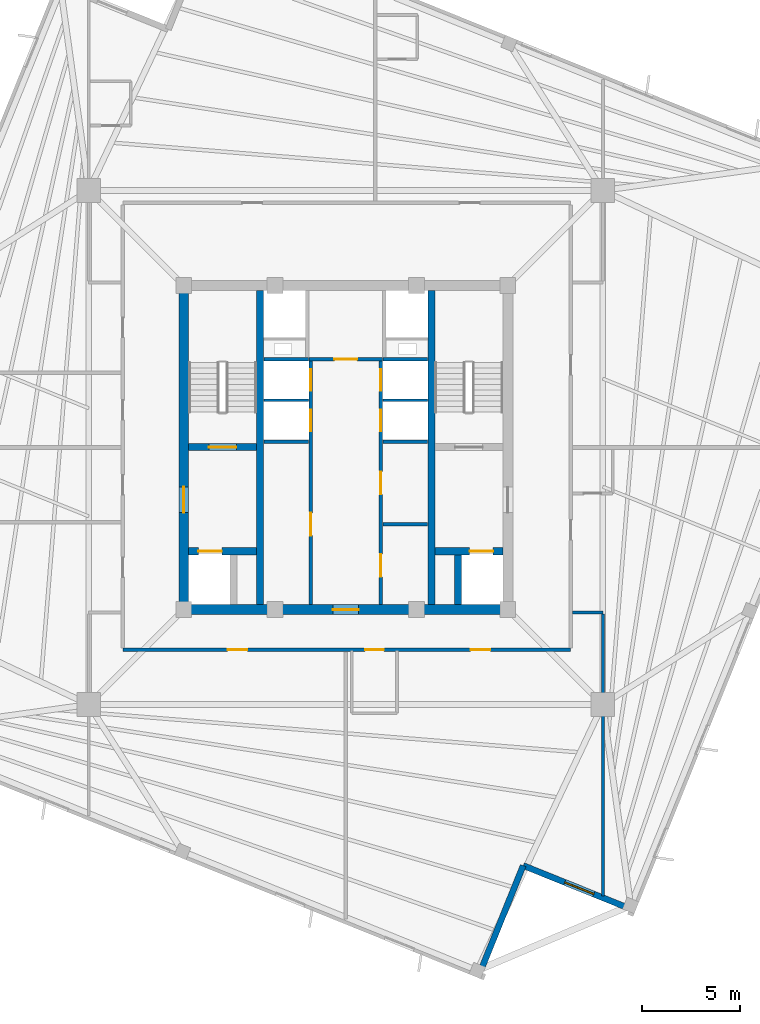
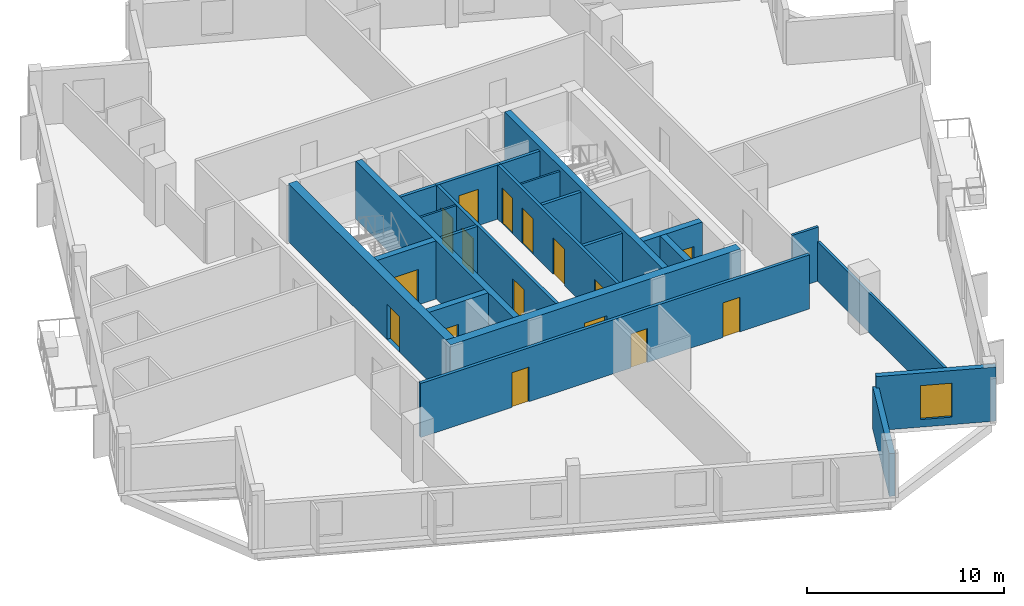
# One storey, part 3 of 8: 23 walls, 16 doors, 1 window, 17 openings.
"""IFC4 building model written with IfcOpenShell, lengths in metres."""

from ifc_helpers import new_model, si_unit, direction, frame, frame_2d, origin, place, context, subcontext, project, spatial, rectangle, extrude, source, transform, mapped, material, layer, layer_set, type_object, element, fill, save


model = new_model("IFC4")

# Units and contexts
model_context = context("Model", 3, precision=1e-05, world=origin(), true_north=direction((0.0, 1.0)))
body_context = subcontext(model_context, "Body", "Model", "MODEL_VIEW")
ifc_project = project(units=[si_unit("LENGTHUNIT", "METRE"), si_unit("AREAUNIT", "SQUARE_METRE"), si_unit("VOLUMEUNIT", "CUBIC_METRE"), si_unit("PLANEANGLEUNIT", "RADIAN"), si_unit("MASSUNIT", "GRAM", prefix="KILO"), si_unit("THERMODYNAMICTEMPERATUREUNIT", "KELVIN")], contexts=[model_context])

# Site, building, storey
site_placement = place(None, origin())
site = spatial("IfcSite", under=ifc_project, at=site_placement, CompositionType="ELEMENT")
building_placement = place(site_placement, origin())
building = spatial("IfcBuilding", under=site, at=building_placement, Name="Kosmvard Interchange Tower", CompositionType="ELEMENT")
storey_placement = place(building_placement, frame((0.0, 0.0, 290.39990234375)))
storey = spatial("IfcBuildingStorey", under=building, at=storey_placement, Name="L71", CompositionType="ELEMENT", Elevation=290.39990234375)

# Walls
ifc_material_1 = material(Name="Acoustic gypsum partition system")
ifc_layer_1 = layer(ifc_material_1, 0.14990234375, Name="Acoustic gypsum partition system")
ifc_layer_set_1 = layer_set([ifc_layer_1], Name="Acoustic gypsum partition system")
wall_type_1 = type_object("IfcWallType", Name="Acoustic Suite & Meeting Partition 150", PredefinedType="PARTITIONING", material=ifc_layer_set_1)
wall_1_placement = place(storey_placement, frame((11.544921875, -8.39990234375, 0.0), z_axis=(0.0, 0.0, 1.0), x_axis=(1.0, 0.0, 0.0)))
element("IfcWall", 1, at=wall_1_placement, inside=storey, type_object=wall_type_1, Name="L71 Room Partition 11.1", PredefinedType="PARTITIONING", context=body_context, shape_type="SweptSolid", body=[
    extrude(rectangle(XDim=1.5361328125, YDim=0.14990234375, at=frame_2d((0.76806640625, 0.0))), origin(), (0.0, 0.0, 1.0), 3.35009765625),
])
wall_2_placement = place(storey_placement, frame((13.0810546875, -8.47509765625, 0.0), z_axis=(0.0, 0.0, 1.0), x_axis=(0.0, -1.0, 0.0)))
element("IfcWall", 2, at=wall_2_placement, inside=storey, type_object=wall_type_1, Name="L71 Room Partition 12.1", PredefinedType="PARTITIONING", context=body_context, shape_type="SweptSolid", body=[
    extrude(rectangle(XDim=14.341552734375, YDim=0.14990234375, at=frame_2d((7.1708984375, 0.0))), origin(), (0.0, 0.0, 1.0), 2.4501953125),
])

# Wall, openings, doors
ifc_material_2 = material(Name="Fire-rated gypsum partition system")
ifc_layer_2 = layer(ifc_material_2, 0.179931640625, Name="Fire-rated gypsum partition system")
ifc_layer_set_2 = layer_set([ifc_layer_2], Name="Fire-rated gypsum partition system")
wall_type_2 = type_object("IfcWallType", Name="Corridor & Hotel Compartment Partition 180", PredefinedType="PARTITIONING", material=ifc_layer_set_2)
wall_3_placement = place(storey_placement, frame((-1.7900390625, -7.97998046875, 0.0), z_axis=(0.0, 0.0, 1.0), x_axis=(0.0, 1.0, 0.0)))
wall_3 = element("IfcWall", 3, at=wall_3_placement, inside=storey, type_object=wall_type_2, Name="L71 West Lift Bank Front Wall", PredefinedType="PARTITIONING", context=body_context, shape_type="SweptSolid", body=[
    extrude(rectangle(XDim=12.3798828125, YDim=0.179931640625, at=frame_2d((6.18994140625, 0.0))), origin(), (0.0, 0.0, 1.0), 3.35009765625),
])
opening_1_placement = place(wall_3_placement, frame((8.800048828125, 0.0, 0.0)))
opening_1 = element("IfcOpeningElement", 4, at=opening_1_placement, cuts=wall_3, Name="Opening LD-PL-H1-L71", PredefinedType="OPENING", context=body_context, shape_type="SweptSolid", body=[
    extrude(rectangle(XDim=1.10009765625, YDim=2.199951171875, at=frame_2d((0.550048828125, 1.10009765625))), frame((0.0, 0.10009765625, 0.0), z_axis=(0.0, -1.0, 0.0), x_axis=(1.0, 0.0, 0.0)), (0.0, 0.0, 1.0), 0.199951171875),
])
opening_2_placement = place(wall_3_placement, frame((10.860107421875, 0.0, 0.0)))
opening_2 = element("IfcOpeningElement", 5, at=opening_2_placement, cuts=wall_3, Name="Opening LD-PL-H2-L71", PredefinedType="OPENING", context=body_context, shape_type="SweptSolid", body=[
    extrude(rectangle(XDim=1.10009765625, YDim=2.199951171875, at=frame_2d((0.550048828125, 1.10009765625))), frame((0.0, 0.10009765625, 0.0), z_axis=(0.0, -1.0, 0.0), x_axis=(1.0, 0.0, 0.0)), (0.0, 0.0, 1.0), 0.199951171875),
])
opening_3_placement = place(wall_3_placement, frame((3.5, 0.0, 0.0)))
opening_3 = element("IfcOpeningElement", 6, at=opening_3_placement, cuts=wall_3, Name="Opening L71-CD1", PredefinedType="OPENING", context=body_context, shape_type="SweptSolid", body=[
    extrude(rectangle(XDim=1.14990234375, YDim=2.25, at=frame_2d((0.574951171875, 1.125))), frame((0.0, 0.10009765625, 0.0), z_axis=(0.0, -1.0, 0.0), x_axis=(1.0, 0.0, 0.0)), (0.0, 0.0, 1.0), 0.199951171875),
])
ifc_material_3 = material(Name="Painted fire-rated steel leaf", Category="steel")
door_type_1 = type_object("IfcDoorType", Name="Plant & Riser Fire Door 1150x2250 EI60", OperationType="NOTDEFINED", PredefinedType="DOOR", material=ifc_material_3)
shared_shape_1 = source(origin(), body_context, "Body", "SweptSolid", [
    extrude(rectangle(XDim=1.14990234375, YDim=2.25, at=frame_2d((0.574951171875, 1.125))), frame((0.0, 0.02490234375, 0.0), z_axis=(0.0, -1.0, 0.0), x_axis=(1.0, 0.0, 0.0)), (0.0, 0.0, 1.0), 0.050048828125),
])
door_1_placement = place(opening_3_placement, origin())
door_1 = element("IfcDoor", 7, at=door_1_placement, inside=storey, type_object=door_type_1, Name="L71 Core West Store Door", OperationType="SINGLE_SWING_LEFT", OverallHeight=2.25, OverallWidth=1.14990234375, PredefinedType="DOOR", context=body_context, shape_type="MappedRepresentation", body=[
    mapped(shared_shape_1, transform((0.0, 0.0, 0.0), scale=1.0)),
])
fill(opening_3, door_1)
ifc_material_4 = material(Name="Brushed stainless steel sliding leaf", Category="steel")
door_type_2 = type_object("IfcDoorType", Name="Passenger Lift Sliding Landing Door 1100x2200 EI60", OperationType="DOUBLE_DOOR_SLIDING", PredefinedType="DOOR", material=ifc_material_4)
shared_shape_2 = source(origin(), body_context, "Body", "SweptSolid", [
    extrude(rectangle(XDim=1.10009765625, YDim=2.199951171875, at=frame_2d((0.550048828125, 1.10009765625))), frame((0.0, 0.02490234375, 0.0), z_axis=(0.0, -1.0, 0.0), x_axis=(1.0, 0.0, 0.0)), (0.0, 0.0, 1.0), 0.050048828125),
])
door_2_placement = place(opening_1_placement, frame((1.10009765625, 0.0, 0.0), z_axis=(0.0, 0.0, 1.0), x_axis=(-1.0, 0.0, 0.0)))
door_2 = element("IfcDoor", 8, at=door_2_placement, inside=storey, type_object=door_type_2, Name="Lift PL-H1 Landing Door L71", OperationType="DOUBLE_DOOR_SLIDING", OverallHeight=2.199951171875, OverallWidth=1.10009765625, PredefinedType="DOOR", context=body_context, shape_type="MappedRepresentation", body=[
    mapped(shared_shape_2, transform((0.0, 0.0, 0.0), scale=1.0)),
])
fill(opening_1, door_2)
door_3_placement = place(opening_2_placement, frame((1.10009765625, 0.0, 0.0), z_axis=(0.0, 0.0, 1.0), x_axis=(-1.0, 0.0, 0.0)))
door_3 = element("IfcDoor", 9, at=door_3_placement, inside=storey, type_object=door_type_2, Name="Lift PL-H2 Landing Door L71", OperationType="DOUBLE_DOOR_SLIDING", OverallHeight=2.199951171875, OverallWidth=1.10009765625, PredefinedType="DOOR", context=body_context, shape_type="MappedRepresentation", body=[
    mapped(shared_shape_2, transform((0.0, 0.0, 0.0), scale=1.0)),
])
fill(opening_2, door_3)

wall_4_placement = place(storey_placement, frame((1.7900390625, -7.97998046875, 0.0), z_axis=(0.0, 0.0, 1.0), x_axis=(0.0, 1.0, 0.0)))
wall_4 = element("IfcWall", 10, at=wall_4_placement, inside=storey, type_object=wall_type_2, Name="L71 East Lift Bank Front Wall", PredefinedType="PARTITIONING", context=body_context, shape_type="SweptSolid", body=[
    extrude(rectangle(XDim=12.3798828125, YDim=0.179931640625, at=frame_2d((6.18994140625, 0.0))), origin(), (0.0, 0.0, 1.0), 3.35009765625),
])
opening_4_placement = place(wall_4_placement, frame((8.800048828125, 0.0, 0.0)))
opening_4 = element("IfcOpeningElement", 11, at=opening_4_placement, cuts=wall_4, Name="Opening LD-PL-H3-L71", PredefinedType="OPENING", context=body_context, shape_type="SweptSolid", body=[
    extrude(rectangle(XDim=1.10009765625, YDim=2.199951171875, at=frame_2d((0.550048828125, 1.10009765625))), frame((0.0, 0.10009765625, 0.0), z_axis=(0.0, -1.0, 0.0), x_axis=(1.0, 0.0, 0.0)), (0.0, 0.0, 1.0), 0.199951171875),
])
opening_5_placement = place(wall_4_placement, frame((10.860107421875, 0.0, 0.0)))
opening_5 = element("IfcOpeningElement", 12, at=opening_5_placement, cuts=wall_4, Name="Opening LD-PL-H4-L71", PredefinedType="OPENING", context=body_context, shape_type="SweptSolid", body=[
    extrude(rectangle(XDim=1.10009765625, YDim=2.199951171875, at=frame_2d((0.550048828125, 1.10009765625))), frame((0.0, 0.10009765625, 0.0), z_axis=(0.0, -1.0, 0.0), x_axis=(1.0, 0.0, 0.0)), (0.0, 0.0, 1.0), 0.199951171875),
])
opening_6_placement = place(wall_4_placement, frame((1.39990234375, 0.0, 0.0)))
opening_6 = element("IfcOpeningElement", 13, at=opening_6_placement, cuts=wall_4, Name="Opening L71-CD2", PredefinedType="OPENING", context=body_context, shape_type="SweptSolid", body=[
    extrude(rectangle(XDim=1.14990234375, YDim=2.25, at=frame_2d((0.574951171875, 1.125))), frame((0.0, 0.10009765625, 0.0), z_axis=(0.0, -1.0, 0.0), x_axis=(1.0, 0.0, 0.0)), (0.0, 0.0, 1.0), 0.199951171875),
])
opening_7_placement = place(wall_4_placement, frame((5.60009765625, 0.0, 0.0)))
opening_7 = element("IfcOpeningElement", 14, at=opening_7_placement, cuts=wall_4, Name="Opening L71-CD3", PredefinedType="OPENING", context=body_context, shape_type="SweptSolid", body=[
    extrude(rectangle(XDim=1.14990234375, YDim=2.25, at=frame_2d((0.574951171875, 1.125))), frame((0.0, 0.10009765625, 0.0), z_axis=(0.0, -1.0, 0.0), x_axis=(1.0, 0.0, 0.0)), (0.0, 0.0, 1.0), 0.199951171875),
])
door_4_placement = place(opening_6_placement, frame((1.14990234375, 0.0, 0.0), z_axis=(0.0, 0.0, 1.0), x_axis=(-1.0, 0.0, 0.0)))
door_4 = element("IfcDoor", 15, at=door_4_placement, inside=storey, type_object=door_type_1, Name="L71 Core Tea Pantry Door", OperationType="SINGLE_SWING_LEFT", OverallHeight=2.25, OverallWidth=1.14990234375, PredefinedType="DOOR", context=body_context, shape_type="MappedRepresentation", body=[
    mapped(shared_shape_1, transform((0.0, 0.0, 0.0), scale=1.0)),
])
fill(opening_6, door_4)
door_5_placement = place(opening_7_placement, frame((1.14990234375, 0.0, 0.0), z_axis=(0.0, 0.0, 1.0), x_axis=(-1.0, 0.0, 0.0)))
door_5 = element("IfcDoor", 16, at=door_5_placement, inside=storey, type_object=door_type_1, Name="L71 Mid Core Pantry Door", OperationType="SINGLE_SWING_RIGHT", OverallHeight=2.25, OverallWidth=1.14990234375, PredefinedType="DOOR", context=body_context, shape_type="MappedRepresentation", body=[
    mapped(shared_shape_1, transform((0.0, 0.0, 0.0), scale=1.0)),
])
fill(opening_7, door_5)
door_6_placement = place(opening_4_placement, origin())
door_6 = element("IfcDoor", 17, at=door_6_placement, inside=storey, type_object=door_type_2, Name="Lift PL-H3 Landing Door L71", OperationType="DOUBLE_DOOR_SLIDING", OverallHeight=2.199951171875, OverallWidth=1.10009765625, PredefinedType="DOOR", context=body_context, shape_type="MappedRepresentation", body=[
    mapped(shared_shape_2, transform((0.0, 0.0, 0.0), scale=1.0)),
])
fill(opening_4, door_6)
door_7_placement = place(opening_5_placement, origin())
door_7 = element("IfcDoor", 18, at=door_7_placement, inside=storey, type_object=door_type_2, Name="Lift PL-H4 Landing Door L71", OperationType="DOUBLE_DOOR_SLIDING", OverallHeight=2.199951171875, OverallWidth=1.10009765625, PredefinedType="DOOR", context=body_context, shape_type="MappedRepresentation", body=[
    mapped(shared_shape_2, transform((0.0, 0.0, 0.0), scale=1.0)),
])
fill(opening_5, door_7)

# Wall, opening, door
wall_5_placement = place(storey_placement, frame((-1.8798828125, 4.489990234375, 0.0), z_axis=(0.0, 0.0, 1.0), x_axis=(1.0, 0.0, 0.0)))
wall_5 = element("IfcWall", 19, at=wall_5_placement, inside=storey, type_object=wall_type_2, Name="L71 Lift Lobby North Partition", PredefinedType="PARTITIONING", context=body_context, shape_type="SweptSolid", body=[
    extrude(rectangle(XDim=3.759765625, YDim=0.179931640625, at=frame_2d((1.8798828125, 0.0))), origin(), (0.0, 0.0, 1.0), 3.35009765625),
])
opening_8_placement = place(wall_5_placement, frame((1.304931640625, 0.0, 0.0)))
opening_8 = element("IfcOpeningElement", 20, at=opening_8_placement, cuts=wall_5, Name="Opening L71-KD1", PredefinedType="OPENING", context=body_context, shape_type="SweptSolid", body=[
    extrude(rectangle(XDim=1.14990234375, YDim=2.25, at=frame_2d((0.574951171875, 1.125))), frame((0.0, 0.10009765625, 0.0), z_axis=(0.0, -1.0, 0.0), x_axis=(1.0, 0.0, 0.0)), (0.0, 0.0, 1.0), 0.199951171875),
])
door_8_placement = place(opening_8_placement, origin())
door_8 = element("IfcDoor", 21, at=door_8_placement, inside=storey, type_object=door_type_1, Name="L71 Core IT Room Door", OperationType="SINGLE_SWING_LEFT", OverallHeight=2.25, OverallWidth=1.14990234375, PredefinedType="DOOR", context=body_context, shape_type="MappedRepresentation", body=[
    mapped(shared_shape_1, transform((0.0, 0.0, 0.0), scale=1.0)),
])
fill(opening_8, door_8)

# Wall, openings, doors
wall_6_placement = place(storey_placement, frame((-11.35009765625, -10.300048828125, 0.0), z_axis=(0.0, 0.0, 1.0), x_axis=(1.0, 0.0, 0.0)))
wall_6 = element("IfcWall", 22, at=wall_6_placement, inside=storey, type_object=wall_type_2, Name="L71 Corridor Wall CS", PredefinedType="PARTITIONING", context=body_context, shape_type="SweptSolid", body=[
    extrude(rectangle(XDim=22.800048828125, YDim=0.179931640625, at=frame_2d((11.39990234375, 0.0))), origin(), (0.0, 0.0, 1.0), 3.35009765625),
])
opening_9_placement = place(wall_6_placement, frame((12.336181640625, 0.0, 0.0)))
opening_9 = element("IfcOpeningElement", 23, at=opening_9_placement, cuts=wall_6, Name="Opening L71-D01", PredefinedType="OPENING", context=body_context, shape_type="SweptSolid", body=[
    extrude(rectangle(XDim=0.949951171875, YDim=2.10009765625, at=frame_2d((0.47509765625, 1.050048828125))), frame((0.0, 0.10009765625, 0.0), z_axis=(0.0, -1.0, 0.0), x_axis=(1.0, 0.0, 0.0)), (0.0, 0.0, 1.0), 0.199951171875),
])
opening_10_placement = place(wall_6_placement, frame((17.7099609375, 0.0, 0.0)))
opening_10 = element("IfcOpeningElement", 24, at=opening_10_placement, cuts=wall_6, Name="Opening L71-D13", PredefinedType="OPENING", context=body_context, shape_type="SweptSolid", body=[
    extrude(rectangle(XDim=1.0, YDim=2.14990234375, at=frame_2d((0.5, 1.074951171875))), frame((0.0, 0.10009765625, 0.0), z_axis=(0.0, -1.0, 0.0), x_axis=(1.0, 0.0, 0.0)), (0.0, 0.0, 1.0), 0.199951171875),
])
opening_11_placement = place(wall_6_placement, frame((5.33935546875, 0.0, 0.0)))
opening_11 = element("IfcOpeningElement", 25, at=opening_11_placement, cuts=wall_6, Name="Opening L71-D14", PredefinedType="OPENING", context=body_context, shape_type="SweptSolid", body=[
    extrude(rectangle(XDim=1.0, YDim=2.14990234375, at=frame_2d((0.5, 1.074951171875))), frame((0.0, 0.10009765625, 0.0), z_axis=(0.0, -1.0, 0.0), x_axis=(1.0, 0.0, 0.0)), (0.0, 0.0, 1.0), 0.199951171875),
])
ifc_material_5 = material(Name="Laminated moisture-resistant timber", Category="wood")
door_type_3 = type_object("IfcDoorType", Name="Accessible Washroom Door 950x2100", OperationType="NOTDEFINED", PredefinedType="DOOR", material=ifc_material_5)
shared_shape_3 = source(origin(), body_context, "Body", "SweptSolid", [
    extrude(rectangle(XDim=0.949951171875, YDim=2.10009765625, at=frame_2d((0.47509765625, 1.050048828125))), frame((0.0, 0.02490234375, 0.0), z_axis=(0.0, -1.0, 0.0), x_axis=(1.0, 0.0, 0.0)), (0.0, 0.0, 1.0), 0.050048828125),
])
door_9_placement = place(opening_9_placement, frame((0.949951171875, 0.0, 0.0), z_axis=(0.0, 0.0, 1.0), x_axis=(-1.0, 0.0, 0.0)))
door_9 = element("IfcDoor", 26, at=door_9_placement, inside=storey, type_object=door_type_3, Name="L71 Accessible Guest Toilet Door", OperationType="SINGLE_SWING_LEFT", OverallHeight=2.10009765625, OverallWidth=0.949951171875, PredefinedType="DOOR", context=body_context, shape_type="MappedRepresentation", body=[
    mapped(shared_shape_3, transform((0.0, 0.0, 0.0), scale=1.0)),
])
fill(opening_9, door_9)
ifc_material_6 = material(Name="Engineered oak fire-rated timber", Category="wood")
door_type_4 = type_object("IfcDoorType", Name="Hotel Guestroom Entrance Door 1000x2150 EI60", OperationType="NOTDEFINED", PredefinedType="DOOR", material=ifc_material_6)
shared_shape_4 = source(origin(), body_context, "Body", "SweptSolid", [
    extrude(rectangle(XDim=1.0, YDim=2.14990234375, at=frame_2d((0.5, 1.074951171875))), frame((0.0, 0.02490234375, 0.0), z_axis=(0.0, -1.0, 0.0), x_axis=(1.0, 0.0, 0.0)), (0.0, 0.0, 1.0), 0.050048828125),
])
door_10_placement = place(opening_10_placement, frame((1.0, 0.0, 0.0), z_axis=(0.0, 0.0, 1.0), x_axis=(-1.0, 0.0, 0.0)))
door_10 = element("IfcDoor", 27, at=door_10_placement, inside=storey, type_object=door_type_4, Name="L71 Housekeeping and Linen Room Door", OperationType="SINGLE_SWING_LEFT", OverallHeight=2.14990234375, OverallWidth=1.0, PredefinedType="DOOR", context=body_context, shape_type="MappedRepresentation", body=[
    mapped(shared_shape_4, transform((0.0, 0.0, 0.0), scale=1.0)),
])
fill(opening_10, door_10)
door_11_placement = place(opening_11_placement, frame((1.0, 0.0, 0.0), z_axis=(0.0, 0.0, 1.0), x_axis=(-1.0, 0.0, 0.0)))
door_11 = element("IfcDoor", 28, at=door_11_placement, inside=storey, type_object=door_type_4, Name="L71 Hotel Servery Pantry Door", OperationType="SINGLE_SWING_RIGHT", OverallHeight=2.14990234375, OverallWidth=1.0, PredefinedType="DOOR", context=body_context, shape_type="MappedRepresentation", body=[
    mapped(shared_shape_4, transform((0.0, 0.0, 0.0), scale=1.0)),
])
fill(opening_11, door_11)

# Walls
ifc_material_7 = material(Name="Concrete blockwork masonry", Category="masonry")
ifc_layer_3 = layer(ifc_material_7, 0.179931640625, Name="Concrete blockwork masonry")
ifc_layer_set_3 = layer_set([ifc_layer_3], Name="Concrete blockwork masonry")
wall_type_3 = type_object("IfcWallType", Name="Riser & Lift Bank Divider Wall 180", PredefinedType="PARTITIONING", material=ifc_layer_set_3)
for number, where, z_axis, x_axis, name in (
    (29, (1.889892578125, -3.89990234375, 0.0), (0.0, 0.0, 1.0), (1.0, 0.0, 0.0), "L71 East Bank Divider BD1"),
    (30, (-4.169921875, 0.300048828125, 0.0), (0.0, 0.0, 1.0), (1.0, 0.0, 0.0), "L71 West Bank Divider BD2"),
    (31, (1.889892578125, 0.300048828125, 0.0), (0.0, 0.0, 1.0), (1.0, 0.0, 0.0), "L71 East Bank Divider BD2"),
    (32, (-4.169921875, 4.489990234375, 0.0), (0.0, 0.0, 1.0), (1.0, 0.0, 0.0), "L71 West Bank Divider BD3"),
    (33, (1.889892578125, 4.489990234375, 0.0), (0.0, 0.0, 1.0), (1.0, 0.0, 0.0), "L71 East Bank Divider BD3"),
):
    element("IfcWall", number, at=place(storey_placement, frame(where, z_axis=z_axis, x_axis=x_axis)), inside=storey, type_object=wall_type_3, Name=name, PredefinedType="PARTITIONING", context=body_context, shape_type="SweptSolid", body=[
        extrude(rectangle(XDim=2.280029296875, YDim=0.179931640625, at=frame_2d((1.14013671875, 0.0))), origin(), (0.0, 0.0, 1.0), 3.35009765625),
    ])
ifc_material_8 = material(Name="Fire-rated gypsum shaftwall system")
ifc_layer_4 = layer(ifc_material_8, 0.1201171875, Name="Fire-rated gypsum shaftwall system")
ifc_layer_set_4 = layer_set([ifc_layer_4], Name="Fire-rated gypsum shaftwall system")
wall_type_4 = type_object("IfcWallType", Name="Shaft & Riser Fire Partition 120 EI60", PredefinedType="PARTITIONING", material=ifc_layer_set_4)
for number, where, z_axis, x_axis, name in (
    (34, (-4.159912109375, 2.39990234375, 0.0), (0.0, 0.0, 1.0), (1.0, 0.0, 0.0), "L71 Shaft Divider PL-H1"),
    (35, (1.89990234375, 2.39990234375, 0.0), (0.0, 0.0, 1.0), (1.0, 0.0, 0.0), "L71 Shaft Divider PL-H3"),
):
    element("IfcWall", number, at=place(storey_placement, frame(where, z_axis=z_axis, x_axis=x_axis)), inside=storey, type_object=wall_type_4, Name=name, PredefinedType="PARTITIONING", context=body_context, shape_type="SweptSolid", body=[
        extrude(rectangle(XDim=2.260009765625, YDim=0.1201171875, at=frame_2d((1.1298828125, 0.0))), origin(), (0.0, 0.0, 1.0), 3.35009765625),
    ])
ifc_material_9 = material(Name="Concrete C60/75", Category="concrete")
ifc_layer_5 = layer(ifc_material_9, 0.360107421875, Name="Concrete C60/75")
ifc_layer_set_5 = layer_set([ifc_layer_5], Name="Concrete C60/75")
wall_type_5 = type_object("IfcWallType", Name="Stair & Lift Shaft Shear Wall 360 C60/75", PredefinedType="SHEAR", material=ifc_layer_set_5)
for number, where, z_axis, x_axis, name in (
    (36, (-4.360107421875, -8.0, 0.0), (0.0, 0.0, 1.0), (0.0, 1.0, 0.0), "L71 Shaft Shear Wall SW-W"),
    (37, (4.360107421875, -8.0, 0.0), (0.0, 0.0, 1.0), (0.0, 1.0, 0.0), "L71 Shaft Shear Wall SW-E"),
):
    element("IfcWall", number, at=place(storey_placement, frame(where, z_axis=z_axis, x_axis=x_axis)), inside=storey, type_object=wall_type_5, Name=name, PredefinedType="SHEAR", context=body_context, shape_type="SweptSolid", body=[
        extrude(rectangle(XDim=16.0, YDim=0.360107421875, at=frame_2d((8.0, 0.0))), origin(), (0.0, 0.0, 1.0), 3.60009765625),
    ])

# Wall, opening, door
wall_7_placement = place(storey_placement, frame((-8.0, 0.02001953125, 0.0), z_axis=(0.0, 0.0, 1.0), x_axis=(1.0, 0.0, 0.0)))
wall_7 = element("IfcWall", 38, at=wall_7_placement, inside=storey, type_object=wall_type_5, Name="L71 Shaft Shear Wall SW-ST1", PredefinedType="SHEAR", context=body_context, shape_type="SweptSolid", body=[
    extrude(rectangle(XDim=3.4599609375, YDim=0.360107421875, at=frame_2d((1.72998046875, 0.0))), origin(), (0.0, 0.0, 1.0), 3.60009765625),
])
opening_12_placement = place(wall_7_placement, frame((1.030029296875, 0.0, 0.0)))
opening_12 = element("IfcOpeningElement", 39, at=opening_12_placement, cuts=wall_7, Name="Opening L71-SD1", PredefinedType="OPENING", context=body_context, shape_type="SweptSolid", body=[
    extrude(rectangle(XDim=1.39990234375, YDim=2.199951171875, at=frame_2d((0.699951171875, 1.10009765625))), frame((0.0, 0.18994140625, 0.0), z_axis=(0.0, -1.0, 0.0), x_axis=(1.0, 0.0, 0.0)), (0.0, 0.0, 1.0), 0.380126953125),
])
door_type_5 = type_object("IfcDoorType", Name="Protected Stair Door 1400x2200 FD60S", OperationType="NOTDEFINED", PredefinedType="DOOR", material=ifc_material_3)
shared_shape_5 = source(origin(), body_context, "Body", "SweptSolid", [
    extrude(rectangle(XDim=1.39990234375, YDim=2.199951171875, at=frame_2d((0.699951171875, 1.10009765625))), frame((0.0, 0.02490234375, 0.0), z_axis=(0.0, -1.0, 0.0), x_axis=(1.0, 0.0, 0.0)), (0.0, 0.0, 1.0), 0.050048828125),
])
door_12_placement = place(opening_12_placement, origin())
door_12 = element("IfcDoor", 40, at=door_12_placement, inside=storey, type_object=door_type_5, Name="L71 Stair ST-1 Enclosure Door", OperationType="SINGLE_SWING_LEFT", OverallHeight=2.199951171875, OverallWidth=1.39990234375, PredefinedType="DOOR", context=body_context, shape_type="MappedRepresentation", body=[
    mapped(shared_shape_5, transform((0.0, 0.0, 0.0), scale=1.0)),
])
fill(opening_12, door_12)

wall_8_placement = place(storey_placement, frame((-8.0, -5.280029296875, 0.0), z_axis=(0.0, 0.0, 1.0), x_axis=(1.0, 0.0, 0.0)))
wall_8 = element("IfcWall", 41, at=wall_8_placement, inside=storey, type_object=wall_type_5, Name="L71 Shaft Shear Wall SW-FF1", PredefinedType="SHEAR", context=body_context, shape_type="SweptSolid", body=[
    extrude(rectangle(XDim=3.4599609375, YDim=0.360107421875, at=frame_2d((1.72998046875, 0.0))), origin(), (0.0, 0.0, 1.0), 3.60009765625),
])
opening_13_placement = place(wall_8_placement, frame((0.5, 0.0, 0.0)))
opening_13 = element("IfcOpeningElement", 42, at=opening_13_placement, cuts=wall_8, Name="Opening LD-FF-1-L71", PredefinedType="OPENING", context=body_context, shape_type="SweptSolid", body=[
    extrude(rectangle(XDim=1.199951171875, YDim=2.25, at=frame_2d((0.60009765625, 1.125))), frame((0.0, 0.18994140625, 0.0), z_axis=(0.0, -1.0, 0.0), x_axis=(1.0, 0.0, 0.0)), (0.0, 0.0, 1.0), 0.380126953125),
])
door_type_6 = type_object("IfcDoorType", Name="Firefighting Lift Sliding Landing Door 1200x2250 EI120", OperationType="DOUBLE_DOOR_SLIDING", PredefinedType="DOOR", material=ifc_material_4)
shared_shape_6 = source(origin(), body_context, "Body", "SweptSolid", [
    extrude(rectangle(XDim=1.199951171875, YDim=2.25, at=frame_2d((0.60009765625, 1.125))), frame((0.0, 0.02490234375, 0.0), z_axis=(0.0, -1.0, 0.0), x_axis=(1.0, 0.0, 0.0)), (0.0, 0.0, 1.0), 0.050048828125),
])
door_13_placement = place(opening_13_placement, origin())
door_13 = element("IfcDoor", 43, at=door_13_placement, inside=storey, type_object=door_type_6, Name="Lift FF-1 Landing Door L71", OperationType="DOUBLE_DOOR_SLIDING", OverallHeight=2.25, OverallWidth=1.199951171875, PredefinedType="DOOR", context=body_context, shape_type="MappedRepresentation", body=[
    mapped(shared_shape_6, transform((0.0, 0.0, 0.0), scale=1.0)),
])
fill(opening_13, door_13)

wall_9_placement = place(storey_placement, frame((4.5400390625, -5.280029296875, 0.0), z_axis=(0.0, 0.0, 1.0), x_axis=(1.0, 0.0, 0.0)))
wall_9 = element("IfcWall", 44, at=wall_9_placement, inside=storey, type_object=wall_type_5, Name="L71 Shaft Shear Wall SW-FF2", PredefinedType="SHEAR", context=body_context, shape_type="SweptSolid", body=[
    extrude(rectangle(XDim=3.4599609375, YDim=0.360107421875, at=frame_2d((1.72998046875, 0.0))), origin(), (0.0, 0.0, 1.0), 3.60009765625),
])
opening_14_placement = place(wall_9_placement, frame((1.760009765625, 0.0, 0.0)))
opening_14 = element("IfcOpeningElement", 45, at=opening_14_placement, cuts=wall_9, Name="Opening LD-FF-2-L71", PredefinedType="OPENING", context=body_context, shape_type="SweptSolid", body=[
    extrude(rectangle(XDim=1.199951171875, YDim=2.25, at=frame_2d((0.60009765625, 1.125))), frame((0.0, 0.18994140625, 0.0), z_axis=(0.0, -1.0, 0.0), x_axis=(1.0, 0.0, 0.0)), (0.0, 0.0, 1.0), 0.380126953125),
])
door_14_placement = place(opening_14_placement, origin())
door_14 = element("IfcDoor", 46, at=door_14_placement, inside=storey, type_object=door_type_6, Name="Lift FF-2 Landing Door L71", OperationType="DOUBLE_DOOR_SLIDING", OverallHeight=2.25, OverallWidth=1.199951171875, PredefinedType="DOOR", context=body_context, shape_type="MappedRepresentation", body=[
    mapped(shared_shape_6, transform((0.0, 0.0, 0.0), scale=1.0)),
])
fill(opening_14, door_14)

# Wall
wall_10_placement = place(storey_placement, frame((5.7099609375, -8.0, 0.0), z_axis=(0.0, 0.0, 1.0), x_axis=(0.0, 1.0, 0.0)))
element("IfcWall", 47, at=wall_10_placement, inside=storey, type_object=wall_type_5, Name="L71 Shaft Shear Wall SW-SM2", PredefinedType="SHEAR", context=body_context, shape_type="SweptSolid", body=[
    extrude(rectangle(XDim=2.5400390625, YDim=0.360107421875, at=frame_2d((1.27001953125, 0.0))), origin(), (0.0, 0.0, 1.0), 3.60009765625),
])

# Wall, opening, door
ifc_layer_6 = layer(ifc_material_9, 0.5, Name="Concrete C60/75")
ifc_layer_set_6 = layer_set([ifc_layer_6], Name="Concrete C60/75")
wall_type_6 = type_object("IfcWallType", Name="Upper Core Shear Wall 500 C60/75", PredefinedType="SHEAR", material=ifc_layer_set_6)
wall_11_placement = place(storey_placement, frame((-8.5, -8.25, 0.0), z_axis=(0.0, 0.0, 1.0), x_axis=(1.0, 0.0, 0.0)))
wall_11 = element("IfcWall", 48, at=wall_11_placement, inside=storey, type_object=wall_type_6, Name="L71 Core Shear Wall CW-S", PredefinedType="SHEAR", context=body_context, shape_type="SweptSolid", body=[
    extrude(rectangle(XDim=17.0, YDim=0.5, at=frame_2d((8.5, 0.0))), origin(), (0.0, 0.0, 1.0), 3.60009765625),
])
opening_15_placement = place(wall_11_placement, frame((7.85009765625, 0.0, 0.0)))
opening_15 = element("IfcOpeningElement", 49, at=opening_15_placement, cuts=wall_11, Name="Opening L71-LD0", PredefinedType="OPENING", context=body_context, shape_type="SweptSolid", body=[
    extrude(rectangle(XDim=1.300048828125, YDim=2.199951171875, at=frame_2d((0.64990234375, 1.10009765625))), frame((0.0, 0.260009765625, 0.0), z_axis=(0.0, -1.0, 0.0), x_axis=(1.0, 0.0, 0.0)), (0.0, 0.0, 1.0), 0.52001953125),
])
door_type_7 = type_object("IfcDoorType", Name="Firefighting Lobby Door 1300x2200 EI60", OperationType="NOTDEFINED", PredefinedType="DOOR", material=ifc_material_3)
shared_shape_7 = source(origin(), body_context, "Body", "SweptSolid", [
    extrude(rectangle(XDim=1.300048828125, YDim=2.199951171875, at=frame_2d((0.64990234375, 1.10009765625))), frame((0.0, 0.02490234375, 0.0), z_axis=(0.0, -1.0, 0.0), x_axis=(1.0, 0.0, 0.0)), (0.0, 0.0, 1.0), 0.050048828125),
])
door_15_placement = place(opening_15_placement, frame((1.300048828125, 0.0, 0.0), z_axis=(0.0, 0.0, 1.0), x_axis=(-1.0, 0.0, 0.0)))
door_15 = element("IfcDoor", 50, at=door_15_placement, inside=storey, type_object=door_type_7, Name="L71 Passenger Lift Lobby South Door", OperationType="SINGLE_SWING_RIGHT", OverallHeight=2.199951171875, OverallWidth=1.300048828125, PredefinedType="DOOR", context=body_context, shape_type="MappedRepresentation", body=[
    mapped(shared_shape_7, transform((0.0, 0.0, 0.0), scale=1.0)),
])
fill(opening_15, door_15)

wall_12_placement = place(storey_placement, frame((-8.25, -8.0, 0.0), z_axis=(0.0, 0.0, 1.0), x_axis=(0.0, 1.0, 0.0)))
wall_12 = element("IfcWall", 51, at=wall_12_placement, inside=storey, type_object=wall_type_6, Name="L71 Core Shear Wall CW-W", PredefinedType="SHEAR", context=body_context, shape_type="SweptSolid", body=[
    extrude(rectangle(XDim=16.0, YDim=0.5, at=frame_2d((8.0, 0.0))), origin(), (0.0, 0.0, 1.0), 3.60009765625),
])
opening_16_placement = place(wall_12_placement, frame((4.68994140625, 0.0, 0.0)))
opening_16 = element("IfcOpeningElement", 52, at=opening_16_placement, cuts=wall_12, Name="Opening L71-FD1", PredefinedType="OPENING", context=body_context, shape_type="SweptSolid", body=[
    extrude(rectangle(XDim=1.300048828125, YDim=2.199951171875, at=frame_2d((0.64990234375, 1.10009765625))), frame((0.0, 0.260009765625, 0.0), z_axis=(0.0, -1.0, 0.0), x_axis=(1.0, 0.0, 0.0)), (0.0, 0.0, 1.0), 0.52001953125),
])
door_16_placement = place(opening_16_placement, frame((1.300048828125, 0.0, 0.0), z_axis=(0.0, 0.0, 1.0), x_axis=(-1.0, 0.0, 0.0)))
door_16 = element("IfcDoor", 53, at=door_16_placement, inside=storey, type_object=door_type_7, Name="L71 Firefighting Lobby West Door", OperationType="SINGLE_SWING_LEFT", OverallHeight=2.199951171875, OverallWidth=1.300048828125, PredefinedType="DOOR", context=body_context, shape_type="MappedRepresentation", body=[
    mapped(shared_shape_7, transform((0.0, 0.0, 0.0), scale=1.0)),
])
fill(opening_16, door_16)

# Wall
ifc_material_10 = material(Name="Precast concrete C45/55", Category="concrete")
ifc_layer_7 = layer(ifc_material_10, 0.31005859375, Name="Precast concrete C45/55")
ifc_layer_set_7 = layer_set([ifc_layer_7], Name="Precast concrete C45/55")
wall_type_7 = type_object("IfcWallType", Name="Upper Tower Precast Pier Wall 310 C45/55", PredefinedType="STANDARD", material=ifc_layer_set_7)
wall_13_placement = place(storey_placement, frame((6.7841796875, -26.8408203125, 0.0), z_axis=(0.0, 0.0, 1.0), x_axis=(0.374636620962, 0.927171722085, 0.0)))
element("IfcWall", 54, at=wall_13_placement, inside=storey, type_object=wall_type_7, Name="L71 Precast Facade Wall N-SW1", PredefinedType="STANDARD", context=body_context, shape_type="SweptSolid", body=[
    extrude(rectangle(XDim=6.0, YDim=0.31005859375, at=frame_2d((3.0, 0.0))), origin(), (0.0, 0.0, 1.0), 2.650146484375),
])

# Wall, opening, window
wall_14_placement = place(storey_placement, frame((9.031982421875, -21.27783203125, 0.0), z_axis=(0.0, 0.0, 1.0), x_axis=(0.927185411764, -0.374602739196, 0.0)))
wall_14 = element("IfcWall", 55, at=wall_14_placement, inside=storey, type_object=wall_type_7, Name="L71 Precast Facade Wall N-SW2", PredefinedType="STANDARD", context=body_context, shape_type="SweptSolid", body=[
    extrude(rectangle(XDim=6.155029296875, YDim=0.31005859375, at=frame_2d((3.07763671875, 0.0))), origin(), (0.0, 0.0, 1.0), 3.35009765625),
])
opening_17_placement = place(wall_14_placement, frame((2.277587890625, 0.0, 0.469970703125)))
opening_17 = element("IfcOpeningElement", 56, at=opening_17_placement, cuts=wall_14, Name="Opening L71-W21", PredefinedType="OPENING", context=body_context, shape_type="SweptSolid", body=[
    extrude(rectangle(XDim=1.60009765625, YDim=2.10009765625, at=frame_2d((0.800048828125, 1.050048828125))), frame((0.0, 0.1650390625, 0.0), z_axis=(0.0, -1.0, 0.0), x_axis=(1.0, 0.0, 0.0)), (0.0, 0.0, 1.0), 0.330078125),
])
ifc_material_11 = material(Name="Low-E acoustic double glazing", Category="glass")
window_type = type_object("IfcWindowType", Name="Zone 5 Hotel Punched Window 1600x2100", PartitioningType="SINGLE_PANEL", PredefinedType="WINDOW", material=ifc_material_11)
shared_shape_8 = source(origin(), body_context, "Body", "SweptSolid", [
    extrude(rectangle(XDim=1.60009765625, YDim=2.10009765625, at=frame_2d((0.800048828125, 1.050048828125))), frame((0.0, 0.030029296875, 0.0), z_axis=(0.0, -1.0, 0.0), x_axis=(1.0, 0.0, 0.0)), (0.0, 0.0, 1.0), 0.06005859375),
])
window_placement = place(opening_17_placement, origin())
window = element("IfcWindow", 57, at=window_placement, inside=storey, type_object=window_type, Name="L71 Corner Notch Window 21", OverallHeight=2.10009765625, OverallWidth=1.60009765625, PartitioningType="SINGLE_PANEL", PredefinedType="WINDOW", context=body_context, shape_type="MappedRepresentation", body=[
    mapped(shared_shape_8, transform((0.0, 0.0, 0.0), scale=1.0)),
])
fill(opening_17, window)

save(model, "model.ifc")
